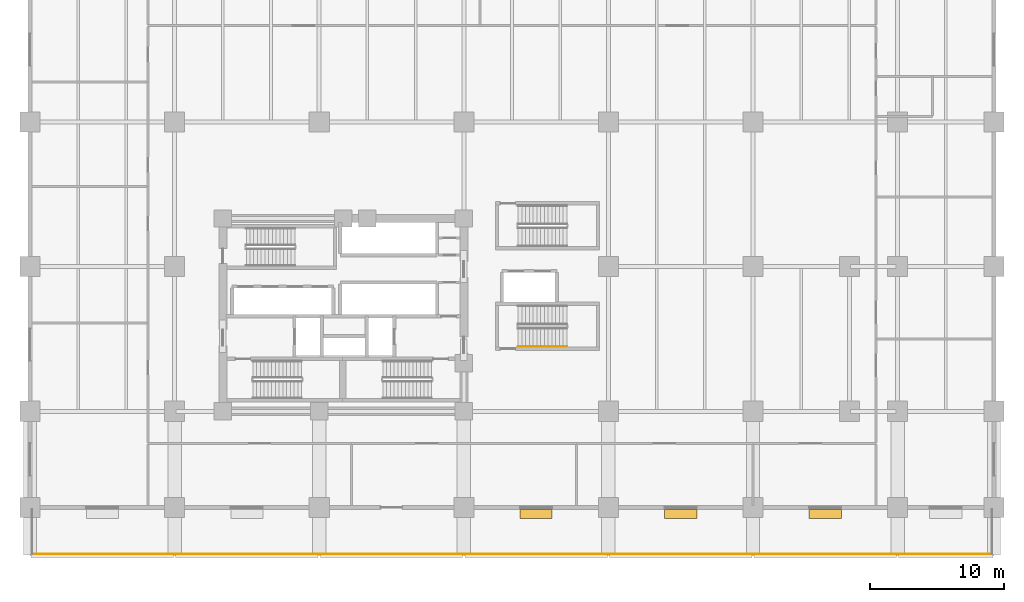
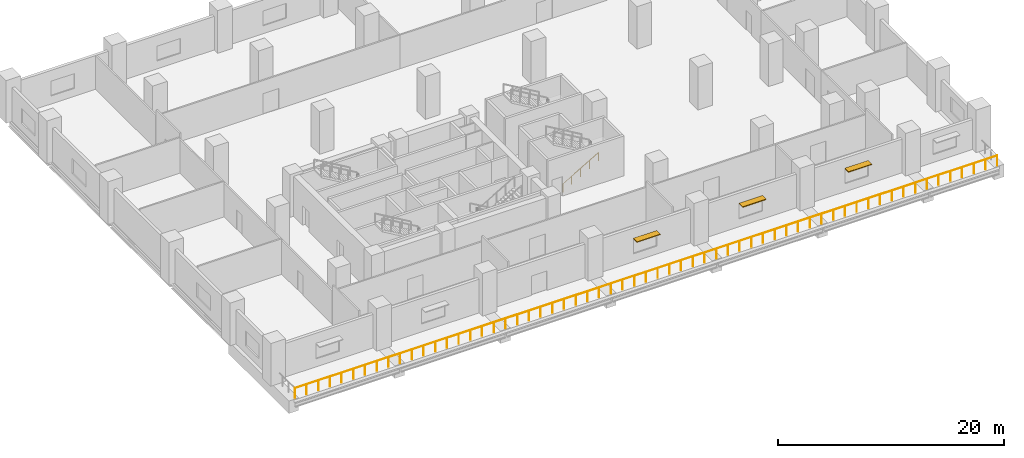
# One storey, part 9 of 11: 3 shading devices, 2 railings.
"""IFC4 building model written with IfcOpenShell, lengths in metres."""

from ifc_helpers import new_model, si_unit, direction, frame, origin, origin_2d, place, context, subcontext, project, spatial, rectangle, circle, extrude, material, layer, layer_set, type_object, element, save


model = new_model("IFC4")

# Units and contexts
model_context = context("Model", 3, precision=1e-05, world=origin(), true_north=direction((0.0, 1.0)))
body_context = subcontext(model_context, "Body", "Model", "MODEL_VIEW")
ifc_project = project(units=[si_unit("LENGTHUNIT", "METRE"), si_unit("AREAUNIT", "SQUARE_METRE"), si_unit("VOLUMEUNIT", "CUBIC_METRE"), si_unit("PLANEANGLEUNIT", "RADIAN"), si_unit("MASSUNIT", "GRAM", prefix="KILO")], contexts=[model_context])

# Site, building, storey
site_placement = place(None, origin())
site = spatial("IfcSite", under=ifc_project, at=site_placement, CompositionType="ELEMENT")
building_placement = place(site_placement, origin())
building = spatial("IfcBuilding", under=site, at=building_placement, Name="Solnavia Interchange Tower", CompositionType="ELEMENT")
storey_placement = place(building_placement, frame((0.0, 0.0, 14.800048828125)))
storey = spatial("IfcBuildingStorey", under=building, at=storey_placement, Name="L03", CompositionType="ELEMENT", Elevation=14.800048828125)

# Railings
ifc_material_1 = material(Name="Brushed Stainless Steel", Category="steel")
railing_type_1 = type_object("IfcRailingType", Name="Railing-StairHandrail-900", PredefinedType="HANDRAIL", material=ifc_material_1)
railing_1_placement = place(storey_placement, frame((36.449951171875, 15.64990234375, 0.164306640625)))
element("IfcRailing", 1, at=railing_1_placement, inside=storey, type_object=railing_type_1, Name="L03 ST-P1 stair handrail 1", PredefinedType="HANDRAIL", context=body_context, shape_type="SweptSolid", body=[
    extrude(circle(Radius=0.02392578125, at=origin_2d()), frame((0.0, 0.0, 0.8759765625), z_axis=(0.862504707072, 0.0, 0.506049039401), x_axis=(0.0, 1.0, 0.0)), (0.0, 0.0, 1.0), 4.220458984375),
    extrude(circle(Radius=0.02099609375, at=origin_2d()), origin(), (0.0, 0.0, 1.0), 0.851806640625),
    extrude(circle(Radius=0.02099609375, at=origin_2d()), frame((0.91015625, 0.0, 0.533935546875)), (0.0, 0.0, 1.0), 0.851806640625),
    extrude(circle(Radius=0.02099609375, at=origin_2d()), frame((1.820068359375, 0.0, 1.06787109375)), (0.0, 0.0, 1.0), 0.851806640625),
    extrude(circle(Radius=0.02099609375, at=origin_2d()), frame((2.72998046875, 0.0, 1.601806640625)), (0.0, 0.0, 1.0), 0.851806640625),
    extrude(circle(Radius=0.02099609375, at=origin_2d()), frame((3.64013671875, 0.0, 2.1357421875)), (0.0, 0.0, 1.0), 0.851806640625),
])
ifc_material_2 = material(Name="Laminated Safety Glass & Stainless Steel", Category="steel")
railing_type_2 = type_object("IfcRailingType", Name="Railing-TerraceGuard-1150", PredefinedType="GUARDRAIL", material=ifc_material_2)
railing_2_placement = place(storey_placement, frame((0.14990234375, 0.14990234375, 0.0)))
element("IfcRailing", 2, at=railing_2_placement, inside=storey, type_object=railing_type_2, Name="GRD-L03-TER-02 Perimeter terrace guardrail", PredefinedType="GUARDRAIL", context=body_context, shape_type="SweptSolid", body=[
    extrude(circle(Radius=0.02392578125, at=origin_2d()), frame((0.0, 0.0, 1.1259765625), z_axis=(1.0, 0.0, 0.0), x_axis=(0.0, 1.0, 0.0)), (0.0, 0.0, 1.0), 71.7001953125),
    extrude(circle(Radius=0.02099609375, at=origin_2d()), origin(), (0.0, 0.0, 1.0), 1.101806640625),
    extrude(circle(Radius=0.02099609375, at=origin_2d()), frame((1.195068359375, 0.0, 0.0)), (0.0, 0.0, 1.0), 1.101806640625),
    extrude(circle(Radius=0.02099609375, at=origin_2d()), frame((2.389892578125, 0.0, 0.0)), (0.0, 0.0, 1.0), 1.101806640625),
    extrude(circle(Radius=0.02099609375, at=origin_2d()), frame((3.5849609375, 0.0, 0.0)), (0.0, 0.0, 1.0), 1.101806640625),
    extrude(circle(Radius=0.02099609375, at=origin_2d()), frame((4.780029296875, 0.0, 0.0)), (0.0, 0.0, 1.0), 1.101806640625),
    extrude(circle(Radius=0.02099609375, at=origin_2d()), frame((5.97509765625, 0.0, 0.0)), (0.0, 0.0, 1.0), 1.101806640625),
    extrude(circle(Radius=0.02099609375, at=origin_2d()), frame((7.169921875, 0.0, 0.0)), (0.0, 0.0, 1.0), 1.101806640625),
    extrude(circle(Radius=0.02099609375, at=origin_2d()), frame((8.364990234375, 0.0, 0.0)), (0.0, 0.0, 1.0), 1.101806640625),
    extrude(circle(Radius=0.02099609375, at=origin_2d()), frame((9.56005859375, 0.0, 0.0)), (0.0, 0.0, 1.0), 1.101806640625),
    extrude(circle(Radius=0.02099609375, at=origin_2d()), frame((10.755126953125, 0.0, 0.0)), (0.0, 0.0, 1.0), 1.101806640625),
    extrude(circle(Radius=0.02099609375, at=origin_2d()), frame((11.949951171875, 0.0, 0.0)), (0.0, 0.0, 1.0), 1.101806640625),
    extrude(circle(Radius=0.02099609375, at=origin_2d()), frame((13.14501953125, 0.0, 0.0)), (0.0, 0.0, 1.0), 1.101806640625),
    extrude(circle(Radius=0.02099609375, at=origin_2d()), frame((14.340087890625, 0.0, 0.0)), (0.0, 0.0, 1.0), 1.101806640625),
    extrude(circle(Radius=0.02099609375, at=origin_2d()), frame((15.53515625, 0.0, 0.0)), (0.0, 0.0, 1.0), 1.101806640625),
    extrude(circle(Radius=0.02099609375, at=origin_2d()), frame((16.72998046875, 0.0, 0.0)), (0.0, 0.0, 1.0), 1.101806640625),
    extrude(circle(Radius=0.02099609375, at=origin_2d()), frame((17.925048828125, 0.0, 0.0)), (0.0, 0.0, 1.0), 1.101806640625),
    extrude(circle(Radius=0.02099609375, at=origin_2d()), frame((19.1201171875, 0.0, 0.0)), (0.0, 0.0, 1.0), 1.101806640625),
    extrude(circle(Radius=0.02099609375, at=origin_2d()), frame((20.31494140625, 0.0, 0.0)), (0.0, 0.0, 1.0), 1.101806640625),
    extrude(circle(Radius=0.02099609375, at=origin_2d()), frame((21.510009765625, 0.0, 0.0)), (0.0, 0.0, 1.0), 1.101806640625),
    extrude(circle(Radius=0.02099609375, at=origin_2d()), frame((22.705078125, 0.0, 0.0)), (0.0, 0.0, 1.0), 1.101806640625),
    extrude(circle(Radius=0.02099609375, at=origin_2d()), frame((23.900146484375, 0.0, 0.0)), (0.0, 0.0, 1.0), 1.101806640625),
    extrude(circle(Radius=0.02099609375, at=origin_2d()), frame((25.094970703125, 0.0, 0.0)), (0.0, 0.0, 1.0), 1.101806640625),
    extrude(circle(Radius=0.02099609375, at=origin_2d()), frame((26.2900390625, 0.0, 0.0)), (0.0, 0.0, 1.0), 1.101806640625),
    extrude(circle(Radius=0.02099609375, at=origin_2d()), frame((27.485107421875, 0.0, 0.0)), (0.0, 0.0, 1.0), 1.101806640625),
    extrude(circle(Radius=0.02099609375, at=origin_2d()), frame((28.68017578125, 0.0, 0.0)), (0.0, 0.0, 1.0), 1.101806640625),
    extrude(circle(Radius=0.02099609375, at=origin_2d()), frame((29.875, 0.0, 0.0)), (0.0, 0.0, 1.0), 1.101806640625),
    extrude(circle(Radius=0.02099609375, at=origin_2d()), frame((31.070068359375, 0.0, 0.0)), (0.0, 0.0, 1.0), 1.101806640625),
    extrude(circle(Radius=0.02099609375, at=origin_2d()), frame((32.26513671875, 0.0, 0.0)), (0.0, 0.0, 1.0), 1.101806640625),
    extrude(circle(Radius=0.02099609375, at=origin_2d()), frame((33.460205078125, 0.0, 0.0)), (0.0, 0.0, 1.0), 1.101806640625),
    extrude(circle(Radius=0.02099609375, at=origin_2d()), frame((34.655029296875, 0.0, 0.0)), (0.0, 0.0, 1.0), 1.101806640625),
    extrude(circle(Radius=0.02099609375, at=origin_2d()), frame((35.85009765625, 0.0, 0.0)), (0.0, 0.0, 1.0), 1.101806640625),
    extrude(circle(Radius=0.02099609375, at=origin_2d()), frame((37.045166015625, 0.0, 0.0)), (0.0, 0.0, 1.0), 1.101806640625),
    extrude(circle(Radius=0.02099609375, at=origin_2d()), frame((38.239990234375, 0.0, 0.0)), (0.0, 0.0, 1.0), 1.101806640625),
    extrude(circle(Radius=0.02099609375, at=origin_2d()), frame((39.43505859375, 0.0, 0.0)), (0.0, 0.0, 1.0), 1.101806640625),
    extrude(circle(Radius=0.02099609375, at=origin_2d()), frame((40.630126953125, 0.0, 0.0)), (0.0, 0.0, 1.0), 1.101806640625),
    extrude(circle(Radius=0.02099609375, at=origin_2d()), frame((41.8251953125, 0.0, 0.0)), (0.0, 0.0, 1.0), 1.101806640625),
    extrude(circle(Radius=0.02099609375, at=origin_2d()), frame((43.02001953125, 0.0, 0.0)), (0.0, 0.0, 1.0), 1.101806640625),
    extrude(circle(Radius=0.02099609375, at=origin_2d()), frame((44.215087890625, 0.0, 0.0)), (0.0, 0.0, 1.0), 1.101806640625),
    extrude(circle(Radius=0.02099609375, at=origin_2d()), frame((45.41015625, 0.0, 0.0)), (0.0, 0.0, 1.0), 1.101806640625),
    extrude(circle(Radius=0.02099609375, at=origin_2d()), frame((46.605224609375, 0.0, 0.0)), (0.0, 0.0, 1.0), 1.101806640625),
    extrude(circle(Radius=0.02099609375, at=origin_2d()), frame((47.800048828125, 0.0, 0.0)), (0.0, 0.0, 1.0), 1.101806640625),
    extrude(circle(Radius=0.02099609375, at=origin_2d()), frame((48.9951171875, 0.0, 0.0)), (0.0, 0.0, 1.0), 1.101806640625),
    extrude(circle(Radius=0.02099609375, at=origin_2d()), frame((50.190185546875, 0.0, 0.0)), (0.0, 0.0, 1.0), 1.101806640625),
    extrude(circle(Radius=0.02099609375, at=origin_2d()), frame((51.38525390625, 0.0, 0.0)), (0.0, 0.0, 1.0), 1.101806640625),
    extrude(circle(Radius=0.02099609375, at=origin_2d()), frame((52.580078125, 0.0, 0.0)), (0.0, 0.0, 1.0), 1.101806640625),
    extrude(circle(Radius=0.02099609375, at=origin_2d()), frame((53.775146484375, 0.0, 0.0)), (0.0, 0.0, 1.0), 1.101806640625),
    extrude(circle(Radius=0.02099609375, at=origin_2d()), frame((54.97021484375, 0.0, 0.0)), (0.0, 0.0, 1.0), 1.101806640625),
    extrude(circle(Radius=0.02099609375, at=origin_2d()), frame((56.1650390625, 0.0, 0.0)), (0.0, 0.0, 1.0), 1.101806640625),
    extrude(circle(Radius=0.02099609375, at=origin_2d()), frame((57.360107421875, 0.0, 0.0)), (0.0, 0.0, 1.0), 1.101806640625),
    extrude(circle(Radius=0.02099609375, at=origin_2d()), frame((58.55517578125, 0.0, 0.0)), (0.0, 0.0, 1.0), 1.101806640625),
    extrude(circle(Radius=0.02099609375, at=origin_2d()), frame((59.750244140625, 0.0, 0.0)), (0.0, 0.0, 1.0), 1.101806640625),
    extrude(circle(Radius=0.02099609375, at=origin_2d()), frame((60.945068359375, 0.0, 0.0)), (0.0, 0.0, 1.0), 1.101806640625),
    extrude(circle(Radius=0.02099609375, at=origin_2d()), frame((62.14013671875, 0.0, 0.0)), (0.0, 0.0, 1.0), 1.101806640625),
    extrude(circle(Radius=0.02099609375, at=origin_2d()), frame((63.335205078125, 0.0, 0.0)), (0.0, 0.0, 1.0), 1.101806640625),
    extrude(circle(Radius=0.02099609375, at=origin_2d()), frame((64.5302734375, 0.0, 0.0)), (0.0, 0.0, 1.0), 1.101806640625),
    extrude(circle(Radius=0.02099609375, at=origin_2d()), frame((65.72509765625, 0.0, 0.0)), (0.0, 0.0, 1.0), 1.101806640625),
    extrude(circle(Radius=0.02099609375, at=origin_2d()), frame((66.920166015625, 0.0, 0.0)), (0.0, 0.0, 1.0), 1.101806640625),
    extrude(circle(Radius=0.02099609375, at=origin_2d()), frame((68.115234375, 0.0, 0.0)), (0.0, 0.0, 1.0), 1.101806640625),
    extrude(circle(Radius=0.02099609375, at=origin_2d()), frame((69.310302734375, 0.0, 0.0)), (0.0, 0.0, 1.0), 1.101806640625),
    extrude(circle(Radius=0.02099609375, at=origin_2d()), frame((70.505126953125, 0.0, 0.0)), (0.0, 0.0, 1.0), 1.101806640625),
    extrude(circle(Radius=0.02099609375, at=origin_2d()), frame((71.7001953125, 0.0, 0.0)), (0.0, 0.0, 1.0), 1.101806640625),
])

# Shading devices
ifc_material_3 = material(Name="Anodised Aluminium Sunshade", Category="aluminium")
ifc_layer = layer(ifc_material_3, 0.080078125)
ifc_layer_set = layer_set([ifc_layer], Name="Anodised Aluminium Sunshade")
shading_device_type = type_object("IfcShadingDeviceType", Name="Sunshade-Band-650", PredefinedType="SHUTTER", material=ifc_layer_set)
for number, where, z_axis, x_axis, name in (
    (3, (37.800048828125, 3.1298828125, 2.4599609375), (0.0, 0.0, 1.0), (1.0, 0.0, 0.0), "SHD-L03-S04 South horizontal sunshade band"),
    (4, (48.60009765625, 3.1298828125, 2.4599609375), (0.0, 0.0, 1.0), (1.0, 0.0, 0.0), "SHD-L03-S05 South horizontal sunshade band"),
    (5, (59.39990234375, 3.1298828125, 2.4599609375), (0.0, 0.0, 1.0), (1.0, 0.0, 0.0), "SHD-L03-S06 South horizontal sunshade band"),
):
    element("IfcShadingDevice", number, at=place(storey_placement, frame(where, z_axis=z_axis, x_axis=x_axis)), inside=storey, type_object=shading_device_type, Name=name, PredefinedType="SHUTTER", context=body_context, shape_type="SweptSolid", body=[
        extrude(rectangle(XDim=2.39990234375, YDim=0.64990234375, at=origin_2d()), origin(), (0.0, 0.0, 1.0), 0.080078125),
    ])

save(model, "model.ifc")
